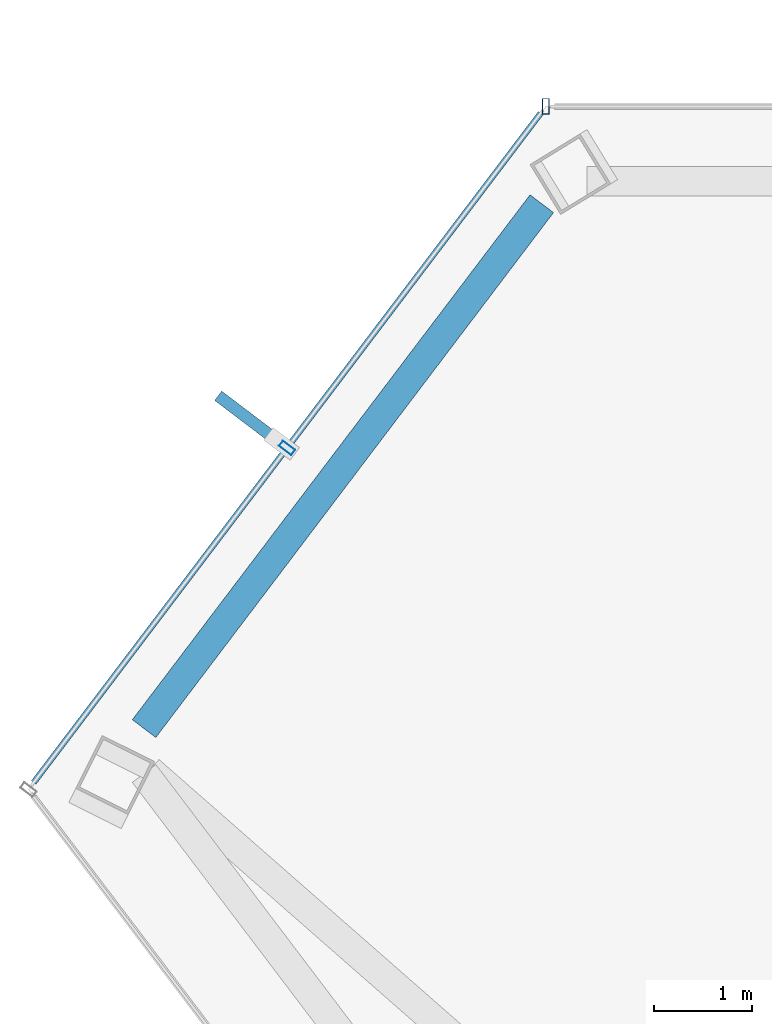
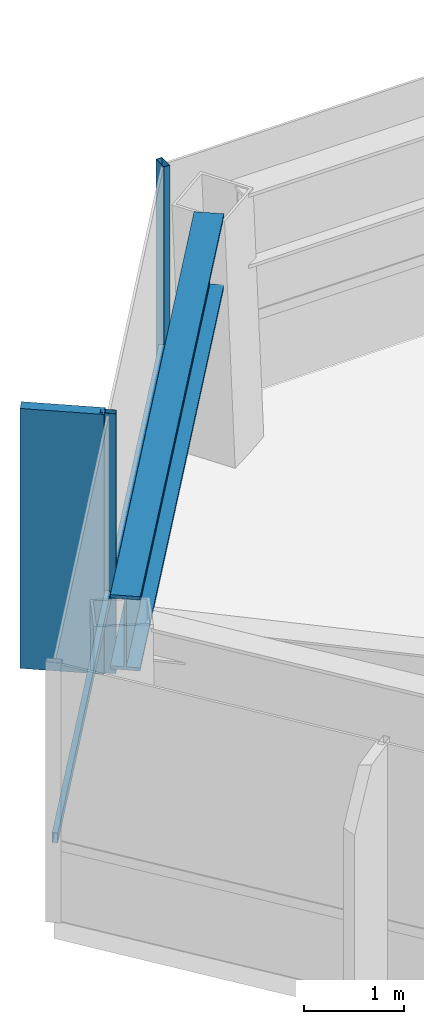
# One storey, part 12 of 27: 4 members, 1 beam, 2 elements without a shape of their own.
"""IFC4 building model written with IfcOpenShell, lengths in metres."""

from ifc_helpers import new_model, si_unit, direction, frame, origin, origin_2d, place, context, subcontext, project, spatial, rectangle, hollow_rectangle, i_section, extrude, material, layer, layer_set, material_profile, profile_set, type_object, element, aggregate, save


model = new_model("IFC4")

# Units and contexts
model_context = context("Model", 3, precision=1e-05, world=origin(), true_north=direction((0.0, 1.0)))
body_context = subcontext(model_context, "Body", "Model", "MODEL_VIEW")
ifc_project = project(units=[si_unit("LENGTHUNIT", "METRE"), si_unit("AREAUNIT", "SQUARE_METRE"), si_unit("VOLUMEUNIT", "CUBIC_METRE"), si_unit("PLANEANGLEUNIT", "RADIAN"), si_unit("MASSUNIT", "GRAM", prefix="KILO")], contexts=[model_context])

# Site, building, storey
site_placement = place(None, origin())
site = spatial("IfcSite", under=ifc_project, at=site_placement, CompositionType="ELEMENT")
building_placement = place(site_placement, origin())
building = spatial("IfcBuilding", under=site, at=building_placement, Name="Zarrinselat Tower", CompositionType="ELEMENT")
storey_placement = place(building_placement, frame((0.0, 0.0, 235.9599609375)))
storey = spatial("IfcBuildingStorey", under=building, at=storey_placement, Name="L59", CompositionType="ELEMENT", Elevation=235.9599609375)

# Beam
ifc_material_1 = material(Name="Steel S460M", Category="steel")
ifc_material_profile_1 = material_profile(ifc_material_1, i_section(OverallWidth=0.302001953125, OverallDepth=0.909912109375, WebThickness=0.02099609375, FlangeThickness=0.0400390625, at=origin_2d()), Name="HEM 900")
ifc_profile_set_1 = profile_set([ifc_material_profile_1], Name="Steel S460M")
beam_type = type_object("IfcBeamType", Name="BM-HEM900", PredefinedType="BEAM", material=ifc_profile_set_1)
beam_placement = place(storey_placement, frame((16.4970703125, 41.805419921875, 2.72509765625), z_axis=(0.603884867536, 0.797071556863, 0.0), x_axis=(-0.797071556863, 0.603884867536, 0.0)))
element("IfcBeam", 1, at=beam_placement, inside=storey, type_object=beam_type, Name="L59 Perimeter Spandrel Girder SP05", PredefinedType="BEAM", context=body_context, shape_type="SweptSolid", body=[
    extrude(i_section(OverallWidth=0.302001953125, OverallDepth=0.909912109375, WebThickness=0.02099609375, FlangeThickness=0.0400390625, at=origin_2d()), origin(), (0.0, 0.0, 1.0), 6.74462890625),
])

# Curtain wall, member
ifc_material_2 = material(Name="Extruded Aluminium Alloy EN AW-6063 T6", Category="aluminium")
ifc_layer = layer(ifc_material_2, 0.169921875)
ifc_layer_set = layer_set([ifc_layer], Name="Extruded Aluminium Alloy EN AW-6063 T6")
curtain_wall_type = type_object("IfcCurtainWallType", Name="CWS-RES", PredefinedType="NOTDEFINED", material=ifc_layer_set)
curtain_wall_1_placement = place(storey_placement, origin())
curtain_wall_1 = element("IfcCurtainWall", 2, at=curtain_wall_1_placement, inside=storey, type_object=curtain_wall_type, Name="L59 Unitised Curtain Wall CW-L59-E01", PredefinedType="NOTDEFINED")
ifc_material_3 = material(Name="Extruded Aluminium Alloy EN AW-6063 T6", Category="aluminium")
ifc_material_profile_2 = material_profile(ifc_material_3, hollow_rectangle(XDim=0.070068359375, YDim=0.159912109375, WallThickness=0.00390625, at=origin_2d()), Name="RHS 160x70x4")
ifc_profile_set_2 = profile_set([ifc_material_profile_2], Name="Extruded Aluminium Alloy EN AW-6063 T6")
member_type_1 = type_object("IfcMemberType", Name="MEM-CW-MUL2", PredefinedType="MULLION", material=ifc_profile_set_2)
member_1_placement = place(storey_placement, frame((20.611572265625, 48.177734375, 0.0), z_axis=(0.0, 0.0, 1.0), x_axis=(-1.0, 0.0, 0.0)))
member_1 = element("IfcMember", 3, at=member_1_placement, type_object=member_type_1, Name="CW-L59-E01 Mullion 12", PredefinedType="MULLION", context=body_context, shape_type="SweptSolid", body=[
    extrude(hollow_rectangle(XDim=0.070068359375, YDim=0.159912109375, WallThickness=0.00390625, at=origin_2d()), origin(), (0.0, 0.0, 1.0), 3.179931640625),
])
aggregate(curtain_wall_1, [member_1])

# Curtain wall, members
curtain_wall_2_placement = place(storey_placement, origin())
curtain_wall_2 = element("IfcCurtainWall", 4, at=curtain_wall_2_placement, inside=storey, type_object=curtain_wall_type, Name="L59 Unitised Curtain Wall CW-L59-E02", PredefinedType="NOTDEFINED")
member_2_placement = place(storey_placement, frame((17.96142578125, 44.6796875, 0.0), z_axis=(0.0, 0.0, 1.0), x_axis=(-0.603855713814, -0.797093643742, 0.0)))
member_2 = element("IfcMember", 5, at=member_2_placement, type_object=member_type_1, Name="CW-L59-E02 Mullion 1", PredefinedType="MULLION", context=body_context, shape_type="SweptSolid", body=[
    extrude(hollow_rectangle(XDim=0.070068359375, YDim=0.159912109375, WallThickness=0.00390625, at=origin_2d()), origin(), (0.0, 0.0, 1.0), 3.179931640625),
])
ifc_material_4 = material(Name="Extruded Aluminium Alloy EN AW-6063 T6", Category="aluminium")
ifc_material_profile_3 = material_profile(ifc_material_4, hollow_rectangle(XDim=0.06005859375, YDim=0.1201171875, WallThickness=0.00390625, at=origin_2d()), Name="RHS 120x60x4")
ifc_profile_set_3 = profile_set([ifc_material_profile_3], Name="Extruded Aluminium Alloy EN AW-6063 T6")
member_type_2 = type_object("IfcMemberType", Name="MEM-CW-TRN2", PredefinedType="USERDEFINED", material=ifc_profile_set_3)
member_3_placement = place(storey_placement, frame((20.55712890625, 48.106201171875, 0.949951171875), z_axis=(-0.603854954358, -0.797094219084, 0.0), x_axis=(0.797094219084, -0.603854954358, 0.0)))
member_3 = element("IfcMember", 6, at=member_3_placement, type_object=member_type_2, Name="CW-L59-E02 Transom 1", ObjectType="TRANSOM", PredefinedType="USERDEFINED", context=body_context, shape_type="SweptSolid", body=[
    extrude(hollow_rectangle(XDim=0.06005859375, YDim=0.1201171875, WallThickness=0.00390625, at=origin_2d()), origin(), (0.0, 0.0, 1.0), 8.597412109375),
])
ifc_material_5 = material(Name="Honed Cream Travertine Stone", Category="masonry")
ifc_material_profile_4 = material_profile(ifc_material_5, rectangle(XDim=0.1201171875, YDim=0.85009765625, at=origin_2d()), Name="FIN 850x120")
ifc_profile_set_4 = profile_set([ifc_material_profile_4], Name="Honed Cream Travertine Stone")
member_type_3 = type_object("IfcMemberType", Name="MEM-STONE-FIN", PredefinedType="USERDEFINED", material=ifc_profile_set_4)
member_4_placement = place(storey_placement, frame((17.5947265625, 44.95751953125, 0.0), z_axis=(0.0, 0.0, 1.0), x_axis=(0.603855713814, 0.797093643742, 0.0)))
member_4 = element("IfcMember", 7, at=member_4_placement, type_object=member_type_3, Name="L59 Stone Shading Fin CW-L59-E02-01", ObjectType="FIN", PredefinedType="USERDEFINED", context=body_context, shape_type="SweptSolid", body=[
    extrude(rectangle(XDim=0.1201171875, YDim=0.85009765625, at=origin_2d()), origin(), (0.0, 0.0, 1.0), 3.179931640625),
])
aggregate(curtain_wall_2, [member_2, member_4, member_3])

save(model, "model.ifc")
